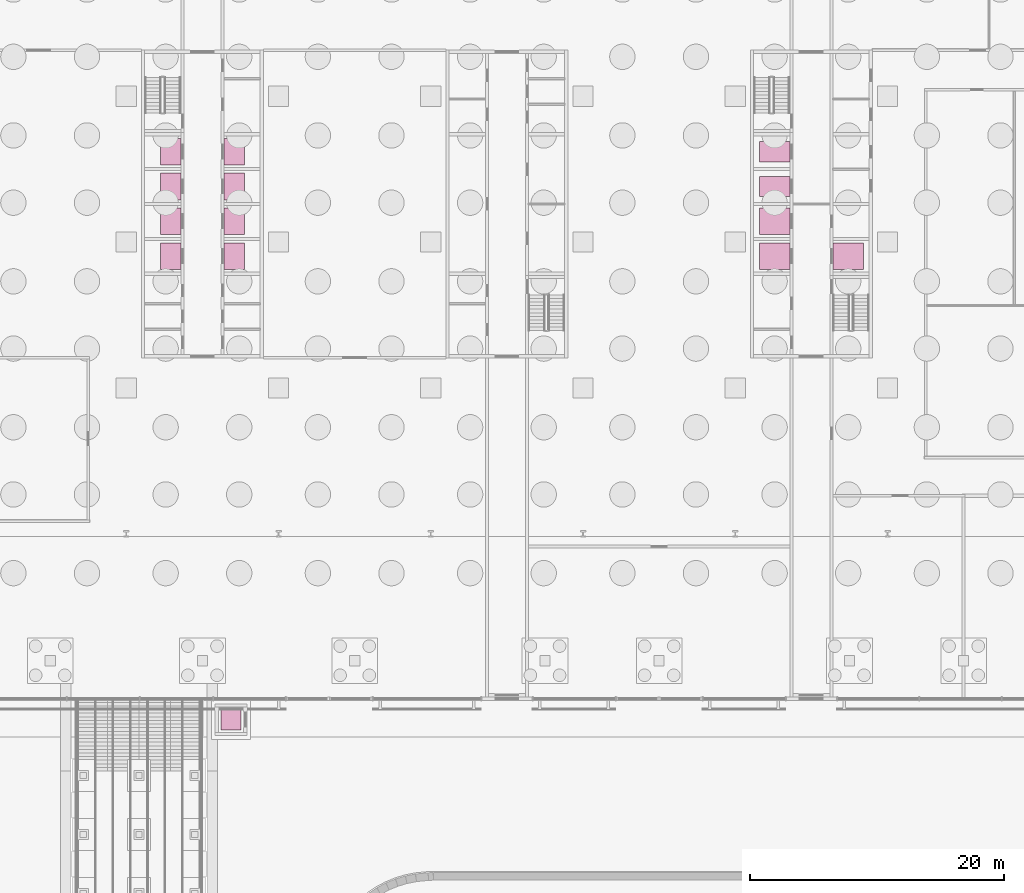
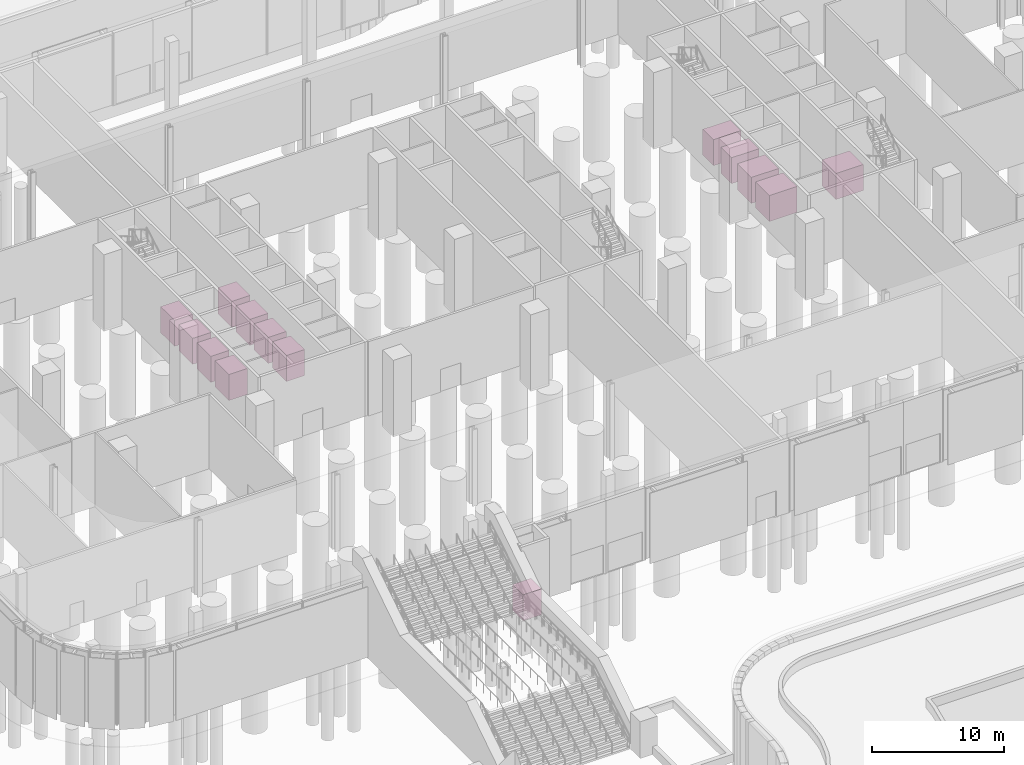
# One storey, part 48 of 48: 14 transport elements.
"""IFC4 building model written with IfcOpenShell, lengths in metres."""

from ifc_helpers import new_model, si_unit, direction, frame, origin, origin_2d, place, context, subcontext, project, spatial, rectangle, extrude, material, type_object, element, save


model = new_model("IFC4")

# Units and contexts
model_context = context("Model", 3, precision=1e-05, world=origin(), true_north=direction((0.0, 1.0)))
body_context = subcontext(model_context, "Body", "Model", "MODEL_VIEW")
ifc_project = project(units=[si_unit("LENGTHUNIT", "METRE"), si_unit("AREAUNIT", "SQUARE_METRE"), si_unit("VOLUMEUNIT", "CUBIC_METRE"), si_unit("PLANEANGLEUNIT", "RADIAN"), si_unit("MASSUNIT", "GRAM", prefix="KILO")], contexts=[model_context])

# Site, building, storey
site_placement = place(None, origin())
site = spatial("IfcSite", under=ifc_project, at=site_placement, CompositionType="ELEMENT")
building_placement = place(site_placement, origin())
building = spatial("IfcBuilding", under=site, at=building_placement, Name="Mahtab Terrace Research Tower", CompositionType="ELEMENT")
storey_placement = place(building_placement, origin())
storey = spatial("IfcBuildingStorey", under=building, at=storey_placement, Name="G", CompositionType="ELEMENT", Elevation=0.0)

# Transport elements
ifc_material = material(Name="Stainless steel AISI 304", Category="steel")
transport_element_type_1 = type_object("IfcTransportElementType", Name="Lift car 1600 kg 2100x1600", PredefinedType="ELEVATOR", material=ifc_material)
for number, where, z_axis, x_axis, name in (
    (1, (-26.5, -1.125, 0.0), (0.0, 0.0, 1.0), (1.0, 0.0, 0.0), "Lift LR1"),
    (2, (-26.5, 1.625, 0.0), (0.0, 0.0, 1.0), (1.0, 0.0, 0.0), "Lift LR2"),
    (3, (-26.5, 4.375, 0.0), (0.0, 0.0, 1.0), (1.0, 0.0, 0.0), "Lift LR3"),
    (4, (-26.5, 7.125, 0.0), (0.0, 0.0, 1.0), (1.0, 0.0, 0.0), "Lift LR4"),
    (5, (-21.5, -1.125, 0.0), (0.0, 0.0, 1.0), (1.0, 0.0, 0.0), "Lift LR5"),
    (6, (-21.5, 1.625, 0.0), (0.0, 0.0, 1.0), (1.0, 0.0, 0.0), "Lift LR6"),
    (7, (-21.5, 4.375, 0.0), (0.0, 0.0, 1.0), (1.0, 0.0, 0.0), "Lift SH1"),
    (8, (-21.5, 7.125, 0.0), (0.0, 0.0, 1.0), (1.0, 0.0, 0.0), "Lift SH2"),
):
    element("IfcTransportElement", number, at=place(storey_placement, frame(where, z_axis=z_axis, x_axis=x_axis)), inside=storey, type_object=transport_element_type_1, Name=name, PredefinedType="ELEVATOR", context=body_context, shape_type="SweptSolid", body=[
        extrude(rectangle(XDim=1.60009765625, YDim=2.10009765625, at=origin_2d()), origin(), (0.0, 0.0, 1.0), 2.39990234375),
    ])
transport_element_type_2 = type_object("IfcTransportElementType", Name="Lift car 1600x1600 public", PredefinedType="ELEVATOR", material=ifc_material)
transport_element_placement = place(storey_placement, frame((-21.75, -37.64990234375, 0.0), z_axis=(0.0, 0.0, 1.0), x_axis=(1.0, 0.0, 0.0)))
element("IfcTransportElement", 9, at=transport_element_placement, inside=storey, type_object=transport_element_type_2, Name="Lift PL1", PredefinedType="ELEVATOR", context=body_context, shape_type="SweptSolid", body=[
    extrude(rectangle(XDim=1.60009765625, YDim=1.60009765625, at=origin_2d()), origin(), (0.0, 0.0, 1.0), 2.39990234375),
])
transport_element_type_3 = type_object("IfcTransportElementType", Name="Lift car 1800 kg 1600x2400", PredefinedType="ELEVATOR", material=ifc_material)
for number, where, z_axis, x_axis, name in (
    (10, (21.10009765625, 4.375, 0.0), (0.0, 0.0, 1.0), (1.0, 0.0, 0.0), "Lift FF1"),
    (11, (21.10009765625, 7.125, 0.0), (0.0, 0.0, 1.0), (1.0, 0.0, 0.0), "Lift FF2"),
):
    element("IfcTransportElement", number, at=place(storey_placement, frame(where, z_axis=z_axis, x_axis=x_axis)), inside=storey, type_object=transport_element_type_3, Name=name, PredefinedType="ELEVATOR", context=body_context, shape_type="SweptSolid", body=[
        extrude(rectangle(XDim=2.39990234375, YDim=1.60009765625, at=origin_2d()), origin(), (0.0, 0.0, 1.0), 2.39990234375),
    ])
transport_element_type_4 = type_object("IfcTransportElementType", Name="Lift car 2500 kg 2100x2400", PredefinedType="ELEVATOR", material=ifc_material)
for number, where, z_axis, x_axis, name in (
    (12, (21.10009765625, -1.125, 0.0), (0.0, 0.0, 1.0), (1.0, 0.0, 0.0), "Lift SV1"),
    (13, (21.10009765625, 1.625, 0.0), (0.0, 0.0, 1.0), (1.0, 0.0, 0.0), "Lift SV2"),
    (14, (26.89990234375, -1.125, 0.0), (0.0, 0.0, 1.0), (1.0, 0.0, 0.0), "Lift SV3"),
):
    element("IfcTransportElement", number, at=place(storey_placement, frame(where, z_axis=z_axis, x_axis=x_axis)), inside=storey, type_object=transport_element_type_4, Name=name, PredefinedType="ELEVATOR", context=body_context, shape_type="SweptSolid", body=[
        extrude(rectangle(XDim=2.39990234375, YDim=2.10009765625, at=origin_2d()), origin(), (0.0, 0.0, 1.0), 2.39990234375),
    ])

save(model, "model.ifc")
